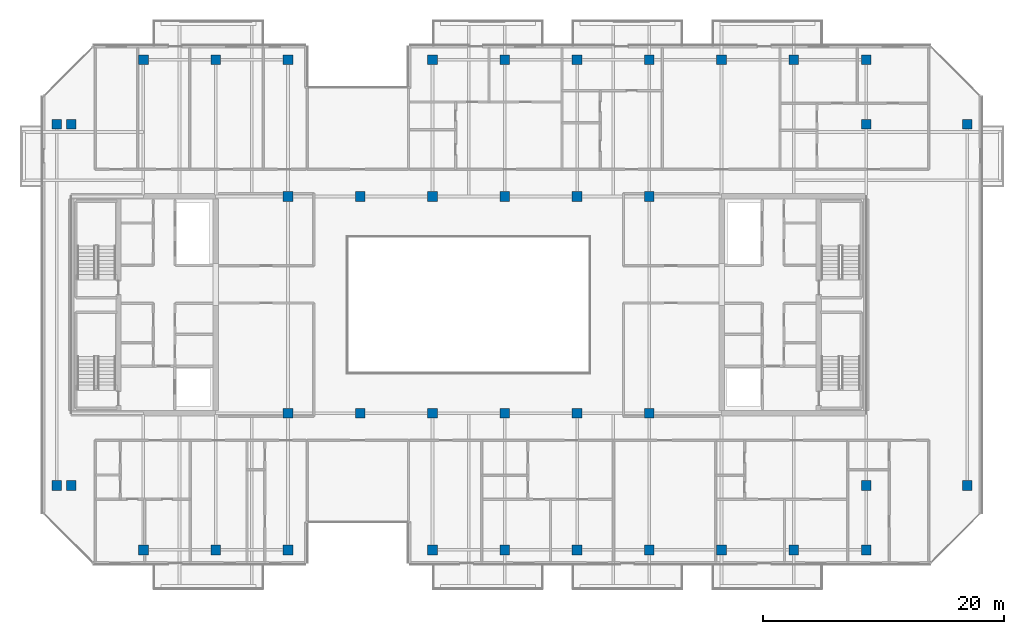
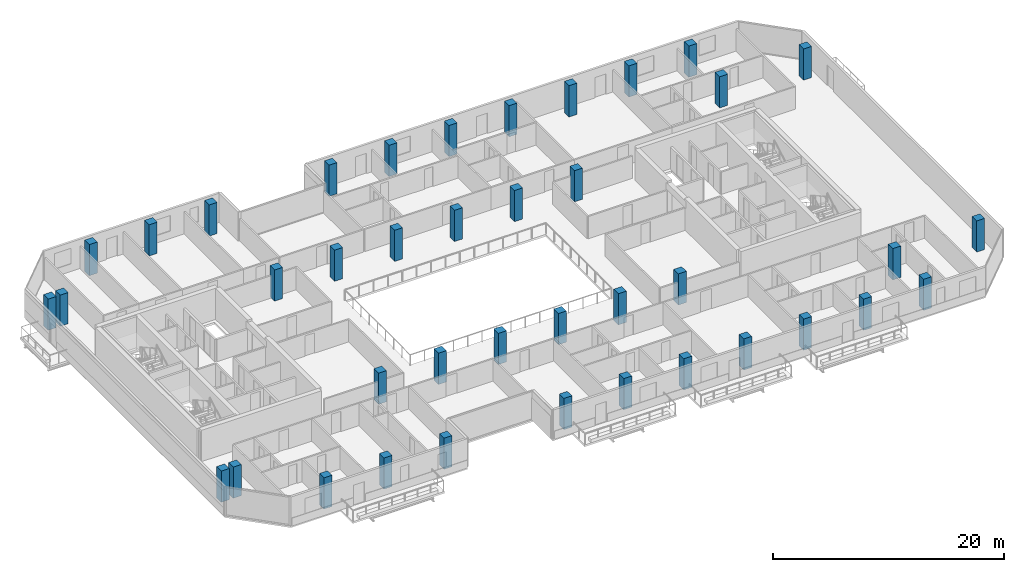
# One storey, part 1 of 29: 40 columns.
"""IFC4 building model written with IfcOpenShell, lengths in metres."""

from ifc_helpers import new_model, si_unit, direction, frame, origin, origin_2d, place, context, subcontext, project, spatial, rectangle, extrude, material, material_profile, profile_set, type_object, element, save


model = new_model("IFC4")

# Units and contexts
model_context = context("Model", 3, precision=1e-05, world=origin(), true_north=direction((0.0, 1.0)))
body_context = subcontext(model_context, "Body", "Model", "MODEL_VIEW")
ifc_project = project(units=[si_unit("LENGTHUNIT", "METRE"), si_unit("AREAUNIT", "SQUARE_METRE"), si_unit("VOLUMEUNIT", "CUBIC_METRE"), si_unit("PLANEANGLEUNIT", "RADIAN"), si_unit("MASSUNIT", "GRAM", prefix="KILO")], contexts=[model_context])

# Site, building, storey
site_placement = place(None, origin())
site = spatial("IfcSite", under=ifc_project, at=site_placement, CompositionType="ELEMENT")
building_placement = place(site_placement, origin())
building = spatial("IfcBuilding", under=site, at=building_placement, Name="Tanjung Sevakor Pilgrim Tower", CompositionType="ELEMENT")
storey_placement = place(building_placement, frame((0.0, 0.0, 188.429931640625)))
storey = spatial("IfcBuildingStorey", under=building, at=storey_placement, Name="L52", CompositionType="ELEMENT", Elevation=188.429931640625)

# Columns
ifc_material = material(Name="Concrete C60/75", Category="concrete")
ifc_material_profile = material_profile(ifc_material, rectangle(XDim=0.800048828125, YDim=0.800048828125, at=origin_2d()))
ifc_profile_set = profile_set([ifc_material_profile], Name="Concrete C60/75")
column_type = type_object("IfcColumnType", Name="COL-C-T800-RC_800x800", PredefinedType="COLUMN", material=ifc_profile_set)
for number, where, z_axis, x_axis, name in (
    (1, (42.0, 24.60009765625, 0.0), (0.0, 0.0, 1.0), (1.0, 0.0, 0.0), "L52 Column SPW-042-246"),
    (2, (42.0, 42.60009765625, 0.0), (0.0, 0.0, 1.0), (1.0, 0.0, 0.0), "L52 Column SPW-042-426"),
    (3, (48.0, 24.60009765625, 0.0), (0.0, 0.0, 1.0), (1.0, 0.0, 0.0), "L52 Column SPW-048-246"),
    (4, (48.0, 42.60009765625, 0.0), (0.0, 0.0, 1.0), (1.0, 0.0, 0.0), "L52 Column SPW-048-426"),
    (5, (54.0, 24.60009765625, 0.0), (0.0, 0.0, 1.0), (1.0, 0.0, 0.0), "L52 Column SPE-054-246"),
    (6, (54.0, 42.60009765625, 0.0), (0.0, 0.0, 1.0), (1.0, 0.0, 0.0), "L52 Column SPE-054-426"),
    (7, (60.0, 24.60009765625, 0.0), (0.0, 0.0, 1.0), (1.0, 0.0, 0.0), "L52 Column SPE-060-246"),
    (8, (60.0, 42.60009765625, 0.0), (0.0, 0.0, 1.0), (1.0, 0.0, 0.0), "L52 Column SPE-060-426"),
    (9, (66.0, 24.60009765625, 0.0), (0.0, 0.0, 1.0), (1.0, 0.0, 0.0), "L52 Column SPE-066-246"),
    (10, (66.0, 42.60009765625, 0.0), (0.0, 0.0, 1.0), (1.0, 0.0, 0.0), "L52 Column SPE-066-426"),
    (11, (72.0, 24.60009765625, 0.0), (0.0, 0.0, 1.0), (1.0, 0.0, 0.0), "L52 Column SPE-072-246"),
    (12, (72.0, 42.60009765625, 0.0), (0.0, 0.0, 1.0), (1.0, 0.0, 0.0), "L52 Column SPE-072-426"),
    (13, (22.800048828125, 18.60009765625, 0.0), (0.0, 0.0, 1.0), (1.0, 0.0, 0.0), "L52 Column TCE-0228-186"),
    (14, (22.800048828125, 48.60009765625, 0.0), (0.0, 0.0, 1.0), (1.0, 0.0, 0.0), "L52 Column TCE-0228-486"),
    (15, (24.0, 18.60009765625, 0.0), (0.0, 0.0, 1.0), (1.0, 0.0, 0.0), "L52 Column TCE-0240-186"),
    (16, (24.0, 48.60009765625, 0.0), (0.0, 0.0, 1.0), (1.0, 0.0, 0.0), "L52 Column TCE-0240-486"),
    (17, (90.0, 18.60009765625, 0.0), (0.0, 0.0, 1.0), (1.0, 0.0, 0.0), "L52 Column TCE-0900-186"),
    (18, (90.0, 48.60009765625, 0.0), (0.0, 0.0, 1.0), (1.0, 0.0, 0.0), "L52 Column TCE-0900-486"),
    (19, (98.39990234375, 18.60009765625, 0.0), (0.0, 0.0, 1.0), (1.0, 0.0, 0.0), "L52 Column TCE-0984-186"),
    (20, (98.39990234375, 48.60009765625, 0.0), (0.0, 0.0, 1.0), (1.0, 0.0, 0.0), "L52 Column TCE-0984-486"),
    (21, (30.0, 13.25, 0.0), (0.0, 0.0, 1.0), (1.0, 0.0, 0.0), "L52 Column TC4-030-132"),
    (22, (30.0, 53.949951171875, 0.0), (0.0, 0.0, 1.0), (1.0, 0.0, 0.0), "L52 Column TC4-030-540"),
    (23, (36.0, 13.25, 0.0), (0.0, 0.0, 1.0), (1.0, 0.0, 0.0), "L52 Column TC4-036-132"),
    (24, (36.0, 53.949951171875, 0.0), (0.0, 0.0, 1.0), (1.0, 0.0, 0.0), "L52 Column TC4-036-540"),
    (25, (42.0, 13.25, 0.0), (0.0, 0.0, 1.0), (1.0, 0.0, 0.0), "L52 Column TC4-042-132"),
    (26, (42.0, 53.949951171875, 0.0), (0.0, 0.0, 1.0), (1.0, 0.0, 0.0), "L52 Column TC4-042-540"),
    (27, (54.0, 13.25, 0.0), (0.0, 0.0, 1.0), (1.0, 0.0, 0.0), "L52 Column TC4-054-132"),
    (28, (54.0, 53.949951171875, 0.0), (0.0, 0.0, 1.0), (1.0, 0.0, 0.0), "L52 Column TC4-054-540"),
    (29, (60.0, 13.25, 0.0), (0.0, 0.0, 1.0), (1.0, 0.0, 0.0), "L52 Column TC4-060-132"),
    (30, (60.0, 53.949951171875, 0.0), (0.0, 0.0, 1.0), (1.0, 0.0, 0.0), "L52 Column TC4-060-540"),
    (31, (66.0, 13.25, 0.0), (0.0, 0.0, 1.0), (1.0, 0.0, 0.0), "L52 Column TC4-066-132"),
    (32, (66.0, 53.949951171875, 0.0), (0.0, 0.0, 1.0), (1.0, 0.0, 0.0), "L52 Column TC4-066-540"),
    (33, (72.0, 13.25, 0.0), (0.0, 0.0, 1.0), (1.0, 0.0, 0.0), "L52 Column TC4-072-132"),
    (34, (72.0, 53.949951171875, 0.0), (0.0, 0.0, 1.0), (1.0, 0.0, 0.0), "L52 Column TC4-072-540"),
    (35, (78.0, 13.25, 0.0), (0.0, 0.0, 1.0), (1.0, 0.0, 0.0), "L52 Column TC4-078-132"),
    (36, (78.0, 53.949951171875, 0.0), (0.0, 0.0, 1.0), (1.0, 0.0, 0.0), "L52 Column TC4-078-540"),
    (37, (84.0, 13.25, 0.0), (0.0, 0.0, 1.0), (1.0, 0.0, 0.0), "L52 Column TC4-084-132"),
    (38, (84.0, 53.949951171875, 0.0), (0.0, 0.0, 1.0), (1.0, 0.0, 0.0), "L52 Column TC4-084-540"),
    (39, (90.0, 13.25, 0.0), (0.0, 0.0, 1.0), (1.0, 0.0, 0.0), "L52 Column TC4-090-132"),
    (40, (90.0, 53.949951171875, 0.0), (0.0, 0.0, 1.0), (1.0, 0.0, 0.0), "L52 Column TC4-090-540"),
):
    element("IfcColumn", number, at=place(storey_placement, frame(where, z_axis=z_axis, x_axis=x_axis)), inside=storey, type_object=column_type, Name=name, PredefinedType="COLUMN", context=body_context, shape_type="SweptSolid", body=[
        extrude(rectangle(XDim=0.800048828125, YDim=0.800048828125, at=origin_2d()), origin(), (0.0, 0.0, 1.0), 3.300048828125),
    ])

save(model, "model.ifc")
